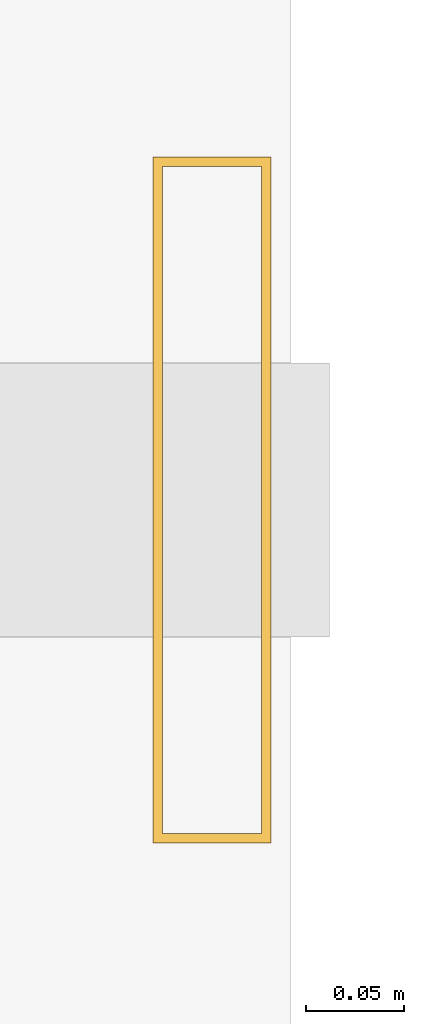
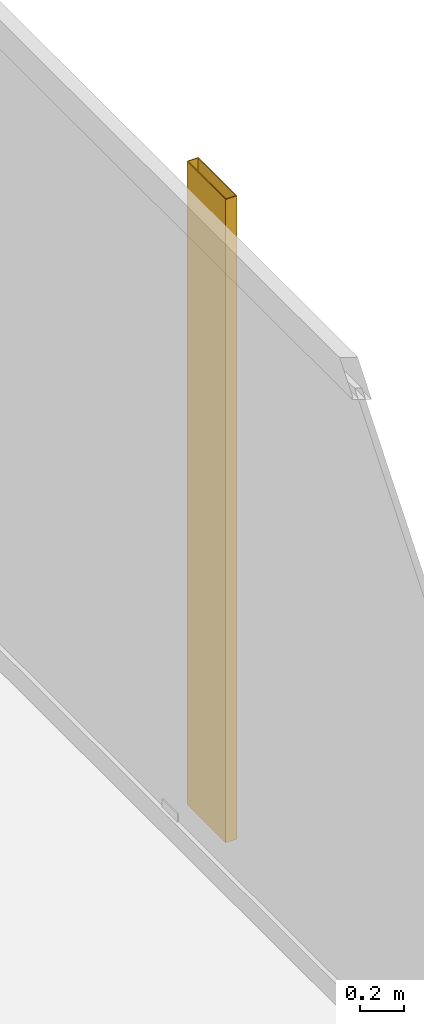
# One storey, part 24 of 24: 1 shading device.
"""IFC4 building model written with IfcOpenShell, lengths in metres."""

import ifcopenshell
import ifcopenshell.guid

model = None  # the IFC model being written
_history = None  # IfcOwnerHistory: only IFC2X3 demands one
_inside = {}  # id of a spatial element -> (the spatial element, [elements in it])
_under = {}  # id of a project, library or spatial element -> (it, [spatial elements below it])
_declared = {}  # id of a project -> (the project, [libraries it declares])
_typed = {}  # id of a type object -> (the type object, [elements of that type])
_made_of = {}  # id of a material, layer set ... -> (it, [elements and type objects made of it])


def new_model(schema):
    """Start an empty IFC model of exactly this schema.

    Asked for "IFC4X3", IfcOpenShell would pick the latest addendum, in which some entities
    have other attributes; the version numbers below select the first issue.
    IFC2X3 requires an IfcOwnerHistory on every rooted entity: one is made here for all.
    """
    global model, _history
    if schema == "IFC4X3":
        model = ifcopenshell.file(schema_version=(4, 3, 0, 0))
    else:
        model = ifcopenshell.file(schema=schema)
    _inside.clear()
    _under.clear()
    _declared.clear()
    _typed.clear()
    _made_of.clear()
    _history = None
    if model.schema == "IFC2X3":
        org = make("IfcOrganization", Name="unknown")
        user = make(
            "IfcPersonAndOrganization",
            ThePerson=make("IfcPerson", FamilyName="unknown"),
            TheOrganization=org,
        )
        app = make(
            "IfcApplication",
            ApplicationDeveloper=org,
            Version="unknown",
            ApplicationFullName="unknown",
            ApplicationIdentifier="unknown",
        )
        _history = make(
            "IfcOwnerHistory",
            OwningUser=user,
            OwningApplication=app,
            ChangeAction="ADDED",
            CreationDate=0,
        )
    return model


def make(cls, **values):
    """One entity of the class cls with the attributes given. An attribute that is None is left unset."""
    return model.create_entity(
        cls, **{name: value for name, value in values.items() if value is not None}
    )


def rooted(cls, **values):
    """An entity with a GlobalId (a new one), such as an element, a storey or a relation."""
    return make(cls, GlobalId=ifcopenshell.guid.new(), OwnerHistory=_history, **values)


def si_unit(unit_type, name, prefix=None):
    """IfcSIUnit, for example si_unit("LENGTHUNIT", "METRE", prefix="MILLI")."""
    return make("IfcSIUnit", UnitType=unit_type, Prefix=prefix, Name=name)


def assignment(units):
    """IfcUnitAssignment: the units of a project."""
    return None if units is None else make("IfcUnitAssignment", Units=units)


def point(xyz):
    """IfcCartesianPoint."""
    return None if xyz is None else make("IfcCartesianPoint", Coordinates=xyz)


def direction(xyz):
    """IfcDirection."""
    return None if xyz is None else make("IfcDirection", DirectionRatios=xyz)


def frame(location, z_axis=None, x_axis=None):
    """IfcAxis2Placement3D, a coordinate frame: its origin and axes. An axis left out is left unset."""
    return make(
        "IfcAxis2Placement3D",
        Location=point(location),
        Axis=direction(z_axis),
        RefDirection=direction(x_axis),
    )


def frame_2d(location, x_axis=None):
    """IfcAxis2Placement2D, a coordinate frame in the plane: its origin and x axis."""
    return make(
        "IfcAxis2Placement2D", Location=point(location), RefDirection=direction(x_axis)
    )


def origin():
    """The frame at (0, 0, 0) with its axes left unset."""
    return frame((0.0, 0.0, 0.0))


def origin_2d():
    """The frame at (0, 0) in the plane with its x axis left unset."""
    return frame_2d((0.0, 0.0))


def place(relative_to, where):
    """IfcLocalPlacement: puts the frame where relative to a parent placement (None: the world)."""
    return make(
        "IfcLocalPlacement", PlacementRelTo=relative_to, RelativePlacement=where
    )


def context(
    kind, dimensions, precision=None, world=None, true_north=None, identifier=None
):
    """IfcGeometricRepresentationContext, for example the 3D "Model" context."""
    return make(
        "IfcGeometricRepresentationContext",
        ContextIdentifier=identifier,
        ContextType=kind,
        CoordinateSpaceDimension=dimensions,
        Precision=precision,
        WorldCoordinateSystem=world,
        TrueNorth=true_north,
    )


def subcontext(parent, identifier, kind, view, scale=None):
    """IfcGeometricRepresentationSubContext, for example "Body" below "Model"."""
    return make(
        "IfcGeometricRepresentationSubContext",
        ContextIdentifier=identifier,
        ContextType=kind,
        ParentContext=parent,
        TargetScale=scale,
        TargetView=view,
    )


def project(units=None, contexts=None):
    """IfcProject with its units and contexts."""
    return rooted(
        "IfcProject",
        Name="project",
        RepresentationContexts=contexts,
        UnitsInContext=assignment(units),
    )


def spatial(cls, under=None, at=None, **own):
    """A site, building, storey or space (cls), placed at a placement, below another one or the project."""
    s = rooted(cls, ObjectPlacement=at, **own)
    if under is not None:
        _under.setdefault(under.id(), (under, []))[1].append(s)
    return s


def profile(cls, at=None, kind="AREA", **sizes):
    """A parametric profile (cls). Its sizes go by their IFC names, for example OverallWidth=200.0."""
    return make(cls, ProfileType=kind, Position=at, **sizes)


def hollow_rectangle(**sizes):
    """IfcRectangleHollowProfileDef."""
    return profile("IfcRectangleHollowProfileDef", **sizes)


def extrude(swept, where, along, depth):
    """IfcExtrudedAreaSolid: the profile swept, set in the frame where, extruded along a direction by depth."""
    return make(
        "IfcExtrudedAreaSolid",
        SweptArea=swept,
        Position=where,
        ExtrudedDirection=direction(along),
        Depth=depth,
    )


def shape(context_of_items, identifier, shape_type, items):
    """IfcShapeRepresentation: the items that make up one representation, for example the "Body"."""
    return make(
        "IfcShapeRepresentation",
        ContextOfItems=context_of_items,
        RepresentationIdentifier=identifier,
        RepresentationType=shape_type,
        Items=items,
    )


def material(Name=None, Category=None):
    """IfcMaterial."""
    return make("IfcMaterial", Name=Name, Category=Category)


def material_profile(
    of_material, cross_section, Name=None, Category=None, Priority=None
):
    """IfcMaterialProfile: a cross section and its material."""
    return make(
        "IfcMaterialProfile",
        Name=Name,
        Material=of_material,
        Profile=cross_section,
        Priority=Priority,
        Category=Category,
    )


def profile_set(profiles, Name=None, composite=None):
    """IfcMaterialProfileSet."""
    return make(
        "IfcMaterialProfileSet",
        Name=Name,
        MaterialProfiles=profiles,
        CompositeProfile=composite,
    )


def made_of(thing, what):
    """Note that an element or type object is made of a material, layer set ...; save() writes the relation."""
    if what is not None:
        _made_of.setdefault(what.id(), (what, []))[1].append(thing)
    return thing


def type_object(cls, material=None, **own):
    """A type object (cls), such as IfcWallType, which elements share."""
    return made_of(rooted(cls, **own), material)


def element(
    cls,
    number,
    at=None,
    inside=None,
    cuts=None,
    type_object=None,
    material=None,
    context=None,
    identifier="Body",
    shape_type=None,
    held_by="IfcProductDefinitionShape",
    body=None,
    shapes=None,
    **own,
):
    """One element of the class cls, such as IfcWall. Its Tag is "e" and its number.

    at: its placement. inside: the storey or other place that contains it. cuts: it is an
    opening in that element (IfcRelVoidsElement). A single representation is given by context,
    identifier, shape_type and body (its items); several are given by shapes. held_by: the class
    of the entity that holds the representations. save() writes the other relations.
    """
    e = rooted(cls, Tag="e%d" % number, ObjectPlacement=at, **own)
    if body is not None:
        shapes = [shape(context, identifier, shape_type, body)]
    if shapes is not None:
        e.Representation = make(held_by, Representations=shapes)
    if inside is not None:
        _inside.setdefault(inside.id(), (inside, []))[1].append(e)
    if cuts is not None:
        rooted(
            "IfcRelVoidsElement", RelatingBuildingElement=cuts, RelatedOpeningElement=e
        )
    if type_object is not None:
        _typed.setdefault(type_object.id(), (type_object, []))[1].append(e)
    return made_of(e, material)


def aggregate(whole, parts):
    """IfcRelAggregates: a whole, such as a stair, and the parts it consists of."""
    return rooted("IfcRelAggregates", RelatingObject=whole, RelatedObjects=parts)


def save(model, path):
    """Write the relations noted so far, then the file.

    IfcRelAggregates (storeys below a building ...), IfcRelContainedInSpatialStructure (elements
    in a storey), IfcRelDefinesByType, IfcRelAssociatesMaterial and IfcRelDeclares: one each for
    every whole, place, type object, material and project.
    """
    for whole, parts in _under.values():
        aggregate(whole, parts)
    for where, things in _inside.values():
        rooted(
            "IfcRelContainedInSpatialStructure",
            RelatedElements=things,
            RelatingStructure=where,
        )
    for kind, things in _typed.values():
        rooted("IfcRelDefinesByType", RelatedObjects=things, RelatingType=kind)
    for what, things in _made_of.values():
        rooted("IfcRelAssociatesMaterial", RelatedObjects=things, RelatingMaterial=what)
    for by, libraries in _declared.values():
        rooted("IfcRelDeclares", RelatingContext=by, RelatedDefinitions=libraries)
    model.write(path)


model = new_model("IFC4")

# Units and contexts
model_context = context("Model", 3, precision=1e-05, world=origin(), true_north=direction((0.0, 1.0)))
body_context = subcontext(model_context, "Body", "Model", "MODEL_VIEW")
ifc_project = project(units=[si_unit("LENGTHUNIT", "METRE"), si_unit("AREAUNIT", "SQUARE_METRE"), si_unit("VOLUMEUNIT", "CUBIC_METRE"), si_unit("PLANEANGLEUNIT", "RADIAN"), si_unit("MASSUNIT", "GRAM", prefix="KILO")], contexts=[model_context])

# Site, building, storey
site_placement = place(None, origin())
site = spatial("IfcSite", under=ifc_project, at=site_placement, CompositionType="ELEMENT")
building_placement = place(site_placement, origin())
building = spatial("IfcBuilding", under=site, at=building_placement, Name="Kolvaren Waterfront Exchange", CompositionType="ELEMENT")
storey_placement = place(building_placement, frame((0.0, 0.0, 91.699951171875)))
storey = spatial("IfcBuildingStorey", under=building, at=storey_placement, Name="L23", CompositionType="ELEMENT", Elevation=91.699951171875)

# Shading device
ifc_material = material(Name="Anodised bronze aluminium 6063-T6", Category="aluminium")
ifc_material_profile = material_profile(ifc_material, hollow_rectangle(XDim=0.06005859375, YDim=0.35009765625, WallThickness=0.0048828125, at=origin_2d()), Name="BRZ-FIN-350x60x5")
ifc_profile_set = profile_set([ifc_material_profile], Name="Anodised bronze aluminium 6063-T6")
shading_device_type = type_object("IfcShadingDeviceType", Name="ARC-FIN-350", PredefinedType="USERDEFINED", material=ifc_profile_set)
shading_device_placement = place(storey_placement, frame((23.9599609375, 38.800048828125, 0.0), z_axis=(0.0, 0.0, 1.0), x_axis=(1.0, 0.0, 0.0)))
element("IfcShadingDevice", 1, at=shading_device_placement, inside=storey, type_object=shading_device_type, Name="L23 anodised bronze solar shading fin FIN-L23-E3", ObjectType="SOLAR FIN", PredefinedType="USERDEFINED", context=body_context, shape_type="SweptSolid", body=[
    extrude(hollow_rectangle(XDim=0.06005859375, YDim=0.35009765625, WallThickness=0.0048828125, at=origin_2d()), origin(), (0.0, 0.0, 1.0), 3.5400390625),
])

save(model, "model.ifc")
